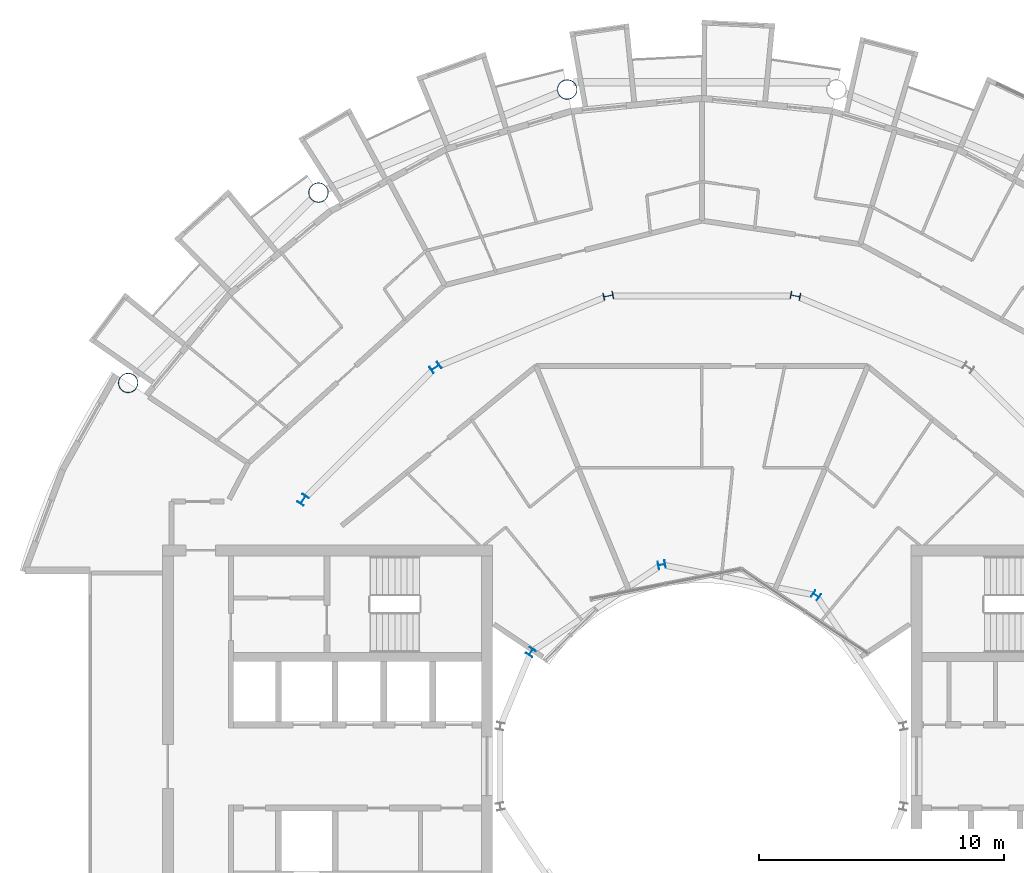
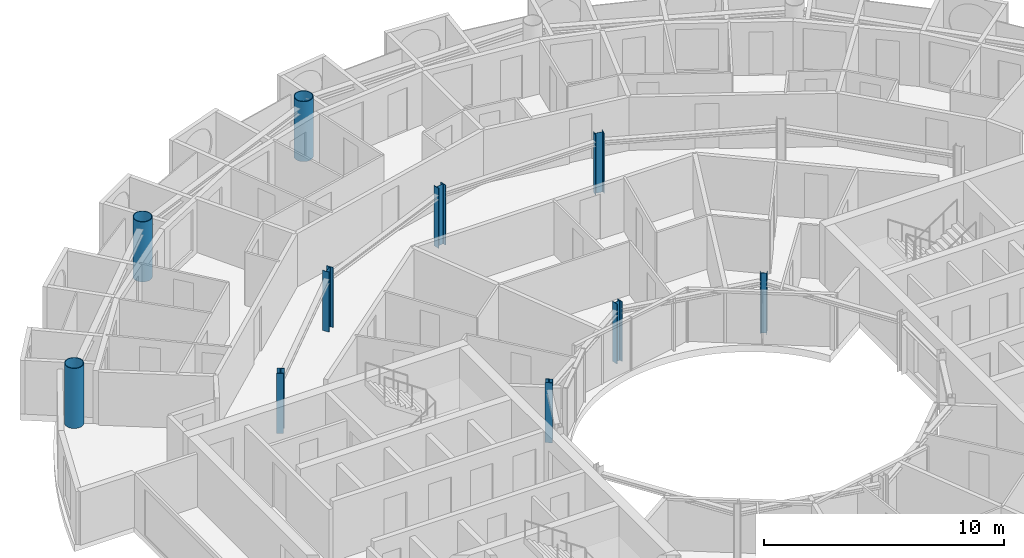
# One storey, part 4 of 29: 10 columns.
"""IFC4 building model written with IfcOpenShell, lengths in metres."""

from ifc_helpers import new_model, si_unit, direction, frame, origin, origin_2d, place, context, subcontext, project, spatial, hollow_circle, i_section, extrude, material, material_profile, profile_set, type_object, element, save


model = new_model("IFC4")

# Units and contexts
model_context = context("Model", 3, precision=1e-05, world=origin(), true_north=direction((0.0, 1.0)))
body_context = subcontext(model_context, "Body", "Model", "MODEL_VIEW")
ifc_project = project(units=[si_unit("LENGTHUNIT", "METRE"), si_unit("AREAUNIT", "SQUARE_METRE"), si_unit("VOLUMEUNIT", "CUBIC_METRE"), si_unit("PLANEANGLEUNIT", "RADIAN"), si_unit("MASSUNIT", "GRAM", prefix="KILO")], contexts=[model_context])

# Site, building, storey
site_placement = place(None, origin())
site = spatial("IfcSite", under=ifc_project, at=site_placement, CompositionType="ELEMENT")
building_placement = place(site_placement, origin())
building = spatial("IfcBuilding", under=site, at=building_placement, Name="Maasbend Ring Residences", CompositionType="ELEMENT")
storey_placement = place(building_placement, frame((0.0, 0.0, 212.699951171875)))
storey = spatial("IfcBuildingStorey", under=building, at=storey_placement, Name="L61", CompositionType="ELEMENT", Elevation=212.699951171875)

# Columns
ifc_material_1 = material(Name="Composite concrete-filled steel tube S460NH / C80/95", Category="concrete")
ifc_material_profile_1 = material_profile(ifc_material_1, hollow_circle(Radius=0.406494140625, WallThickness=0.030029296875, at=origin_2d()), Name="Composite tube column CHS 813x30")
ifc_profile_set_1 = profile_set([ifc_material_profile_1], Name="Composite concrete-filled steel tube S460NH / C80/95")
column_type_1 = type_object("IfcColumnType", Name="Composite tube column CHS 813x30", PredefinedType="COLUMN", material=ifc_profile_set_1)
for number, where, z_axis, x_axis, name in (
    (1, (-5.50146484375, 27.658203125, 0.0), (0.0, 0.0, 1.0), (1.0, 0.0, 0.0), "Outer column R5"),
    (2, (-15.6669921875, 23.447509765625, 0.0), (0.0, 0.0, 1.0), (1.0, 0.0, 0.0), "Outer column R6"),
    (3, (-23.447509765625, 15.6669921875, 0.0), (0.0, 0.0, 1.0), (1.0, 0.0, 0.0), "Outer column R7"),
):
    element("IfcColumn", number, at=place(storey_placement, frame(where, z_axis=z_axis, x_axis=x_axis)), inside=storey, type_object=column_type_1, Name=name, PredefinedType="COLUMN", context=body_context, shape_type="SweptSolid", body=[
        extrude(hollow_circle(Radius=0.406494140625, WallThickness=0.030029296875, at=origin_2d()), origin(), (0.0, 0.0, 1.0), 3.050048828125),
    ])
ifc_material_2 = material(Name="Steel S355J2", Category="steel")
ifc_material_profile_2 = material_profile(ifc_material_2, i_section(OverallWidth=0.300048828125, OverallDepth=0.2900390625, WebThickness=0.008544921875, FlangeThickness=0.013916015625, FilletRadius=0.027099609375, at=origin_2d()), Name="HEA 300")
ifc_profile_set_2 = profile_set([ifc_material_profile_2], Name="Steel S355J2")
column_type_2 = type_object("IfcColumnType", Name="Steel column HEA 300", PredefinedType="COLUMN", material=ifc_profile_set_2)
for number, where, z_axis, x_axis, name in (
    (4, (4.666748046875, 6.984375, 0.0), (0.0, 0.0, 1.0), (0.55557023302, 0.831469612303, 0.0), "Well ring column R3"),
    (5, (-1.638916015625, 8.238525390625, 0.0), (0.0, 0.0, 1.0), (-0.195090322016, 0.980785280403, 0.0), "Well ring column R5"),
    (6, (-6.984375, 4.666748046875, 0.0), (0.0, 0.0, 1.0), (-0.831469612303, 0.55557023302, 0.0), "Well ring column R7"),
):
    element("IfcColumn", number, at=place(storey_placement, frame(where, z_axis=z_axis, x_axis=x_axis)), inside=storey, type_object=column_type_2, Name=name, PredefinedType="COLUMN", context=body_context, shape_type="SweptSolid", body=[
        extrude(i_section(OverallWidth=0.300048828125, OverallDepth=0.2900390625, WebThickness=0.008544921875, FlangeThickness=0.013916015625, FilletRadius=0.027099609375, at=origin_2d()), origin(), (0.0, 0.0, 1.0), 3.050048828125),
    ])
ifc_material_3 = material(Name="Steel S355J2", Category="steel")
ifc_material_profile_3 = material_profile(ifc_material_3, i_section(OverallWidth=0.300048828125, OverallDepth=0.39990234375, WebThickness=0.013427734375, FlangeThickness=0.02392578125, FilletRadius=0.027099609375, at=origin_2d()), Name="HEB 400")
ifc_profile_set_3 = profile_set([ifc_material_profile_3], Name="Steel S355J2")
column_type_3 = type_object("IfcColumnType", Name="Steel column HEB 400", PredefinedType="COLUMN", material=ifc_profile_set_3)
for number, where, z_axis, x_axis, name in (
    (7, (3.82373046875, 19.223388671875, 0.0), (0.0, 0.0, 1.0), (0.195090322016, 0.980785280403, 0.0), "Corridor ring column R4"),
    (8, (-3.82373046875, 19.223388671875, 0.0), (0.0, 0.0, 1.0), (-0.195090322016, 0.980785280403, 0.0), "Corridor ring column R5"),
    (9, (-10.88916015625, 16.296875, 0.0), (0.0, 0.0, 1.0), (-0.55557023302, 0.831469612303, 0.0), "Corridor ring column R6"),
    (10, (-16.296875, 10.88916015625, 0.0), (0.0, 0.0, 1.0), (-0.831469612303, 0.55557023302, 0.0), "Corridor ring column R7"),
):
    element("IfcColumn", number, at=place(storey_placement, frame(where, z_axis=z_axis, x_axis=x_axis)), inside=storey, type_object=column_type_3, Name=name, PredefinedType="COLUMN", context=body_context, shape_type="SweptSolid", body=[
        extrude(i_section(OverallWidth=0.300048828125, OverallDepth=0.39990234375, WebThickness=0.013427734375, FlangeThickness=0.02392578125, FilletRadius=0.027099609375, at=origin_2d()), origin(), (0.0, 0.0, 1.0), 3.050048828125),
    ])

save(model, "model.ifc")
